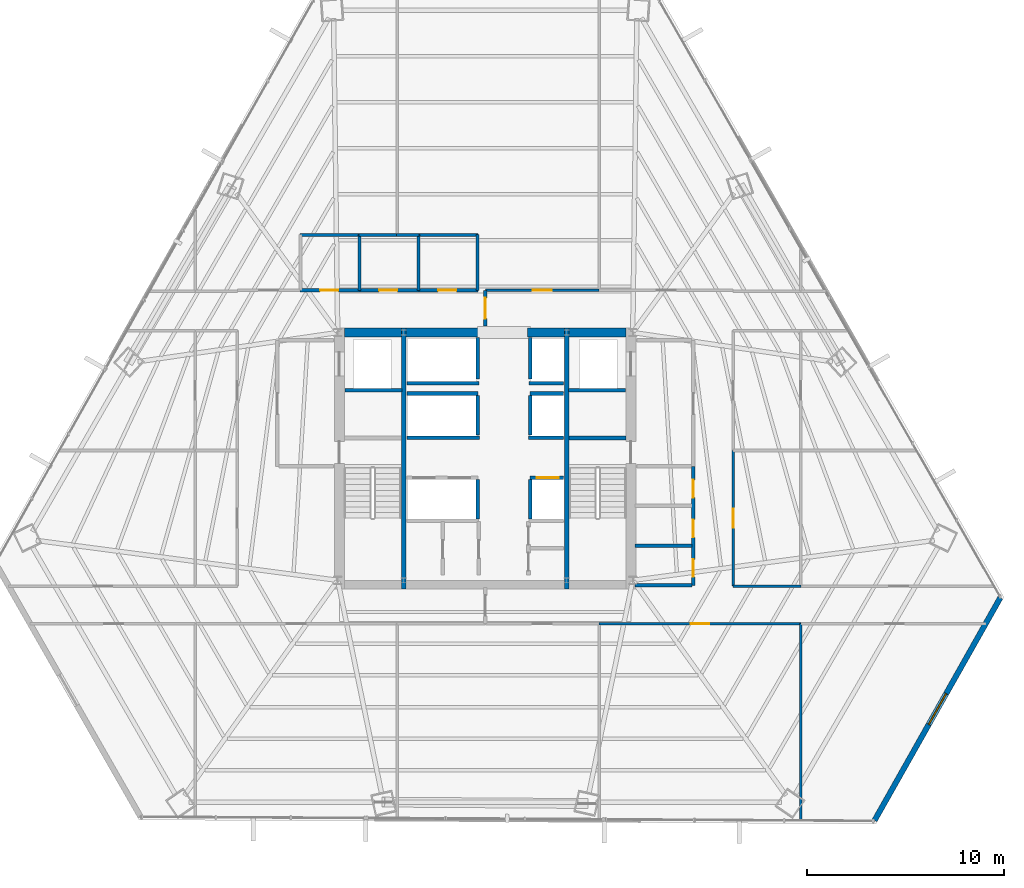
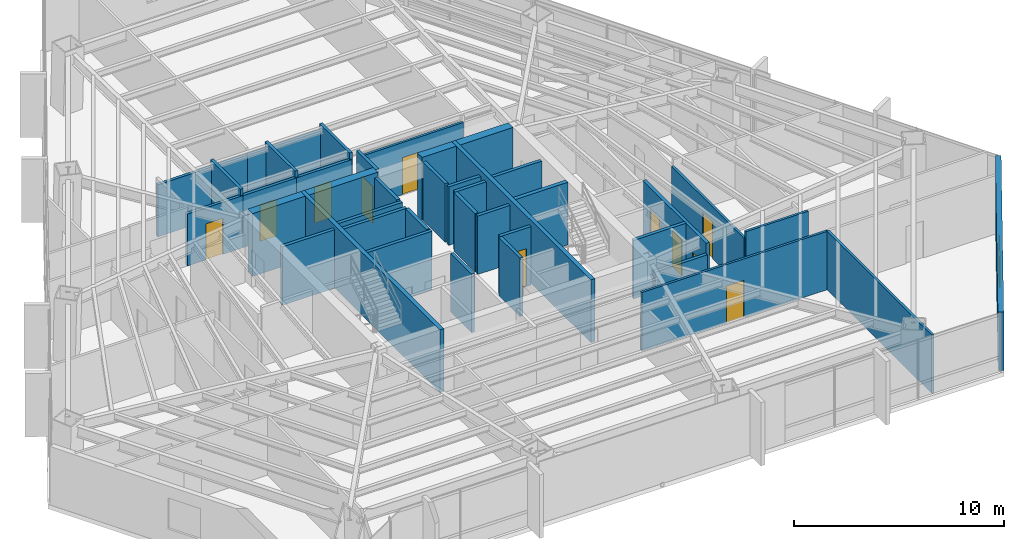
# One storey, part 31 of 35: 42 walls, 11 doors, 1 window, 12 openings.
"""IFC4 building model written with IfcOpenShell, lengths in metres."""

from ifc_helpers import new_model, si_unit, direction, frame, frame_2d, origin, place, context, subcontext, project, spatial, rectangle, extrude, material, layer, layer_set, type_object, element, fill, save


model = new_model("IFC4")

# Units and contexts
model_context = context("Model", 3, precision=1e-05, world=origin(), true_north=direction((0.0, 1.0)))
body_context = subcontext(model_context, "Body", "Model", "MODEL_VIEW")
ifc_project = project(units=[si_unit("LENGTHUNIT", "METRE"), si_unit("AREAUNIT", "SQUARE_METRE"), si_unit("VOLUMEUNIT", "CUBIC_METRE"), si_unit("PLANEANGLEUNIT", "RADIAN"), si_unit("MASSUNIT", "GRAM", prefix="KILO")], contexts=[model_context])

# Site, building, storey
site_placement = place(None, origin())
site = spatial("IfcSite", under=ifc_project, at=site_placement, CompositionType="ELEMENT")
building_placement = place(site_placement, origin())
building = spatial("IfcBuilding", under=site, at=building_placement, Name="Caelisora Broadcast Tower", CompositionType="ELEMENT")
storey_placement = place(building_placement, frame((0.0, 0.0, 90.800048828125)))
storey = spatial("IfcBuildingStorey", under=building, at=storey_placement, Name="L23", CompositionType="ELEMENT", Elevation=90.800048828125)

# Walls
ifc_material_1 = material(Name="Concrete 50 MPa (AS 3600 S50)", Category="concrete")
ifc_layer_1 = layer(ifc_material_1, 0.449951171875, Name="Concrete 50 MPa (AS 3600 S50)")
ifc_layer_set_1 = layer_set([ifc_layer_1], Name="Concrete 50 MPa (AS 3600 S50)")
wall_type_1 = type_object("IfcWallType", Name="CW5", PredefinedType="SHEAR", material=ifc_layer_set_1)
wall_1_placement = place(storey_placement, frame((30.840087890625, 30.0, 0.0), z_axis=(0.0, 0.0, 1.0), x_axis=(1.0, 0.0, 0.0)))
element("IfcWall", 1, at=wall_1_placement, inside=storey, type_object=wall_type_1, Name="L23 core shear wall CW5", PredefinedType="SHEAR", context=body_context, shape_type="SweptSolid", body=[
    extrude(rectangle(XDim=2.89990234375, YDim=0.449951171875, at=frame_2d((1.449951171875, 0.0))), origin(), (0.0, 0.0, 1.0), 3.64990234375),
])
wall_2_placement = place(storey_placement, frame((33.9599609375, 30.0, 0.0), z_axis=(0.0, 0.0, 1.0), x_axis=(1.0, 0.0, 0.0)))
element("IfcWall", 2, at=wall_2_placement, inside=storey, type_object=wall_type_1, Name="L23 core shear wall CW5", PredefinedType="SHEAR", context=body_context, shape_type="SweptSolid", body=[
    extrude(rectangle(XDim=3.780029296875, YDim=0.449951171875, at=frame_2d((1.89013671875, 0.0))), origin(), (0.0, 0.0, 1.0), 3.64990234375),
])
wall_3_placement = place(storey_placement, frame((40.159912109375, 30.0, 0.0), z_axis=(0.0, 0.0, 1.0), x_axis=(1.0, 0.0, 0.0)))
element("IfcWall", 3, at=wall_3_placement, inside=storey, type_object=wall_type_1, Name="L23 core shear wall CW5", PredefinedType="SHEAR", context=body_context, shape_type="SweptSolid", body=[
    extrude(rectangle(XDim=1.880126953125, YDim=0.449951171875, at=frame_2d((0.93994140625, 0.0))), origin(), (0.0, 0.0, 1.0), 3.64990234375),
])
wall_4_placement = place(storey_placement, frame((42.260009765625, 30.0, 0.0), z_axis=(0.0, 0.0, 1.0), x_axis=(1.0, 0.0, 0.0)))
element("IfcWall", 4, at=wall_4_placement, inside=storey, type_object=wall_type_1, Name="L23 core shear wall CW5", PredefinedType="SHEAR", context=body_context, shape_type="SweptSolid", body=[
    extrude(rectangle(XDim=2.89990234375, YDim=0.449951171875, at=frame_2d((1.449951171875, 0.0))), origin(), (0.0, 0.0, 1.0), 3.64990234375),
])
ifc_layer_2 = layer(ifc_material_1, 0.219970703125, Name="Concrete 50 MPa (AS 3600 S50)")
ifc_layer_set_2 = layer_set([ifc_layer_2], Name="Concrete 50 MPa (AS 3600 S50)")
wall_type_2 = type_object("IfcWallType", Name="CW7", PredefinedType="SHEAR", material=ifc_layer_set_2)
for number, where, z_axis, x_axis, name in (
    (5, (33.85009765625, 16.949951171875, 0.0), (0.0, 0.0, 1.0), (0.0, 1.0, 0.0), "L23 core shear wall CW7"),
    (6, (42.14990234375, 16.949951171875, 0.0), (0.0, 0.0, 1.0), (0.0, 1.0, 0.0), "L23 core shear wall CW7"),
):
    element("IfcWall", number, at=place(storey_placement, frame(where, z_axis=z_axis, x_axis=x_axis)), inside=storey, type_object=wall_type_2, Name=name, PredefinedType="SHEAR", context=body_context, shape_type="SweptSolid", body=[
        extrude(rectangle(XDim=13.275146484375, YDim=0.219970703125, at=frame_2d((6.6376953125, 0.0))), origin(), (0.0, 0.0, 1.0), 3.64990234375),
    ])
wall_5_placement = place(storey_placement, frame((42.260009765625, 24.639892578125, 0.0), z_axis=(0.0, 0.0, 1.0), x_axis=(1.0, 0.0, 0.0)))
element("IfcWall", 7, at=wall_5_placement, inside=storey, type_object=wall_type_2, Name="L23 core shear wall CW7", PredefinedType="SHEAR", context=body_context, shape_type="SweptSolid", body=[
    extrude(rectangle(XDim=2.89990234375, YDim=0.219970703125, at=frame_2d((1.449951171875, 0.0))), origin(), (0.0, 0.0, 1.0), 3.64990234375),
])

# Wall, opening, window
ifc_material_2 = material(Name="Insulated Terracotta Spandrel Wall System", Category="masonry")
ifc_layer_3 = layer(ifc_material_2, 0.280029296875, Name="Insulated Terracotta Spandrel Wall System")
ifc_layer_set_3 = layer_set([ifc_layer_3], Name="Insulated Terracotta Spandrel Wall System")
wall_type_3 = type_object("IfcWallType", Name="EW1", PredefinedType="STANDARD", material=ifc_layer_set_3)
wall_6_placement = place(storey_placement, frame((64.187255859375, 16.513916015625, 0.0), z_axis=(0.0, 0.0, 1.0), x_axis=(-0.491716982004, -0.870755080151, 0.0)))
wall_6 = element("IfcWall", 8, at=wall_6_placement, inside=storey, type_object=wall_type_3, Name="L23 exterior envelope wall EW1", PredefinedType="STANDARD", context=body_context, shape_type="SweptSolid", body=[
    extrude(rectangle(XDim=13.00439453125, YDim=0.280029296875, at=frame_2d((6.502197265625, 0.0))), origin(), (0.0, 0.0, 1.0), 3.39990234375),
])
opening_1_placement = place(wall_6_placement, frame((5.60009765625, 0.0, 0.89990234375)))
opening_1 = element("IfcOpeningElement", 9, at=opening_1_placement, cuts=wall_6, Name="Opening W01", PredefinedType="OPENING", context=body_context, shape_type="SweptSolid", body=[
    extrude(rectangle(XDim=1.800048828125, YDim=1.800048828125, at=frame_2d((0.89990234375, 0.89990234375))), frame((0.0, 0.152099609375, 0.0), z_axis=(0.0, -1.0, 0.0), x_axis=(1.0, 0.0, 0.0)), (0.0, 0.0, 1.0), 0.303955078125),
])
ifc_material_3 = material(Name="Double Glazed Terracotta-Framed Vision Window", Category="glass")
window_type = type_object("IfcWindowType", Name="W01", PartitioningType="SINGLE_PANEL", PredefinedType="WINDOW", material=ifc_material_3)
window_placement = place(opening_1_placement, origin())
window = element("IfcWindow", 10, at=window_placement, inside=storey, type_object=window_type, Name="L23 window W01 (L23-WN-CH0)", OverallHeight=1.800048828125, OverallWidth=1.800048828125, PartitioningType="SINGLE_PANEL", PredefinedType="WINDOW", context=body_context, shape_type="SweptSolid", body=[
    extrude(rectangle(XDim=1.800048828125, YDim=1.800048828125, at=frame_2d((0.89990234375, 0.89990234375))), frame((0.0, 0.030029296875, 0.0), z_axis=(0.0, -1.0, 0.0), x_axis=(1.0, 0.0, 0.0)), (0.0, 0.0, 1.0), 0.06005859375),
])
fill(opening_1, window)

# Wall, opening, door
ifc_material_4 = material(Name="Fire-Rated Gypsum Shaft and Compartment Wall", Category="gypsum")
ifc_layer_4 = layer(ifc_material_4, 0.179931640625, Name="Fire-Rated Gypsum Shaft and Compartment Wall")
ifc_layer_set_4 = layer_set([ifc_layer_4], Name="Fire-Rated Gypsum Shaft and Compartment Wall")
wall_type_4 = type_object("IfcWallType", Name="PW2", PredefinedType="PARTITIONING", material=ifc_layer_set_4)
wall_7_placement = place(storey_placement, frame((40.280029296875, 22.6201171875, 0.0), z_axis=(0.0, 0.0, 1.0), x_axis=(1.0, 0.0, 0.0)))
wall_7 = element("IfcWall", 11, at=wall_7_placement, inside=storey, type_object=wall_type_4, Name="L23 fire compartment wall PW2", PredefinedType="PARTITIONING", context=body_context, shape_type="SweptSolid", body=[
    extrude(rectangle(XDim=1.699951171875, YDim=0.179931640625, at=frame_2d((0.85009765625, 0.0))), origin(), (0.0, 0.0, 1.0), 3.39990234375),
])
opening_2_placement = place(wall_7_placement, frame((0.35009765625, 0.0, 0.0)))
opening_2 = element("IfcOpeningElement", 12, at=opening_2_placement, cuts=wall_7, Name="Opening LD01", PredefinedType="OPENING", context=body_context, shape_type="SweptSolid", body=[
    extrude(rectangle(XDim=1.10009765625, YDim=2.199951171875, at=frame_2d((0.550048828125, 1.10009765625))), frame((0.0, 0.10205078125, 0.0), z_axis=(0.0, -1.0, 0.0), x_axis=(1.0, 0.0, 0.0)), (0.0, 0.0, 1.0), 0.203857421875),
])
ifc_material_5 = material(Name="Stainless Steel Centre-Parting Lift Landing Door", Category="steel")
door_type_1 = type_object("IfcDoorType", Name="LD01", OperationType="NOTDEFINED", PredefinedType="DOOR", material=ifc_material_5)
door_1_placement = place(opening_2_placement, origin())
door_1 = element("IfcDoor", 13, at=door_1_placement, inside=storey, type_object=door_type_1, Name="L23 door LD01 (L23-LD-PLL3)", OperationType="SLIDING_TO_LEFT", OverallHeight=2.199951171875, OverallWidth=1.10009765625, PredefinedType="DOOR", context=body_context, shape_type="SweptSolid", body=[
    extrude(rectangle(XDim=1.10009765625, YDim=2.199951171875, at=frame_2d((0.550048828125, 1.10009765625))), frame((0.0, 0.02490234375, 0.0), z_axis=(0.0, -1.0, 0.0), x_axis=(1.0, 0.0, 0.0)), (0.0, 0.0, 1.0), 0.050048828125),
])
fill(opening_2, door_1)

# Walls
for number, where, z_axis, x_axis, name in (
    (14, (37.6201171875, 20.52001953125, 0.0), (0.0, 0.0, 1.0), (0.0, 1.0, 0.0), "L23 fire compartment wall PW2"),
    (15, (40.280029296875, 20.52001953125, 0.0), (0.0, 0.0, 1.0), (0.0, 1.0, 0.0), "L23 fire compartment wall PW2"),
):
    element("IfcWall", number, at=place(storey_placement, frame(where, z_axis=z_axis, x_axis=x_axis)), inside=storey, type_object=wall_type_4, Name=name, PredefinedType="PARTITIONING", context=body_context, shape_type="SweptSolid", body=[
        extrude(rectangle(XDim=2.0, YDim=0.179931640625, at=frame_2d((1.0, 0.0))), origin(), (0.0, 0.0, 1.0), 3.39990234375),
    ])
wall_8_placement = place(storey_placement, frame((34.02001953125, 26.89990234375, 0.0), z_axis=(0.0, 0.0, 1.0), x_axis=(1.0, 0.0, 0.0)))
element("IfcWall", 16, at=wall_8_placement, inside=storey, type_object=wall_type_4, Name="L23 fire compartment wall PW2", PredefinedType="PARTITIONING", context=body_context, shape_type="SweptSolid", body=[
    extrude(rectangle(XDim=3.60009765625, YDim=0.179931640625, at=frame_2d((1.800048828125, 0.0))), origin(), (0.0, 0.0, 1.0), 3.39990234375),
])
wall_9_placement = place(storey_placement, frame((40.280029296875, 26.89990234375, 0.0), z_axis=(0.0, 0.0, 1.0), x_axis=(1.0, 0.0, 0.0)))
element("IfcWall", 17, at=wall_9_placement, inside=storey, type_object=wall_type_4, Name="L23 fire compartment wall PW2", PredefinedType="PARTITIONING", context=body_context, shape_type="SweptSolid", body=[
    extrude(rectangle(XDim=1.699951171875, YDim=0.179931640625, at=frame_2d((0.85009765625, 0.0))), origin(), (0.0, 0.0, 1.0), 3.39990234375),
])
for number, where, z_axis, x_axis, name in (
    (18, (37.6201171875, 24.800048828125, 0.0), (0.0, 0.0, 1.0), (0.0, 1.0, 0.0), "L23 fire compartment wall PW2"),
    (19, (40.280029296875, 24.800048828125, 0.0), (0.0, 0.0, 1.0), (0.0, 1.0, 0.0), "L23 fire compartment wall PW2"),
):
    element("IfcWall", number, at=place(storey_placement, frame(where, z_axis=z_axis, x_axis=x_axis)), inside=storey, type_object=wall_type_4, Name=name, PredefinedType="PARTITIONING", context=body_context, shape_type="SweptSolid", body=[
        extrude(rectangle(XDim=2.0, YDim=0.179931640625, at=frame_2d((1.0, 0.0))), origin(), (0.0, 0.0, 1.0), 3.39990234375),
    ])
wall_10_placement = place(storey_placement, frame((34.02001953125, 24.639892578125, 0.0), z_axis=(0.0, 0.0, 1.0), x_axis=(1.0, 0.0, 0.0)))
element("IfcWall", 20, at=wall_10_placement, inside=storey, type_object=wall_type_4, Name="L23 fire compartment wall PW2", PredefinedType="PARTITIONING", context=body_context, shape_type="SweptSolid", body=[
    extrude(rectangle(XDim=3.679931640625, YDim=0.179931640625, at=frame_2d((1.83984375, 0.0))), origin(), (0.0, 0.0, 1.0), 3.39990234375),
])
wall_11_placement = place(storey_placement, frame((40.199951171875, 24.639892578125, 0.0), z_axis=(0.0, 0.0, 1.0), x_axis=(1.0, 0.0, 0.0)))
element("IfcWall", 21, at=wall_11_placement, inside=storey, type_object=wall_type_4, Name="L23 fire compartment wall PW2", PredefinedType="PARTITIONING", context=body_context, shape_type="SweptSolid", body=[
    extrude(rectangle(XDim=1.780029296875, YDim=0.179931640625, at=frame_2d((0.89013671875, 0.0))), origin(), (0.0, 0.0, 1.0), 3.39990234375),
])
wall_12_placement = place(storey_placement, frame((34.02001953125, 27.419921875, 0.0), z_axis=(0.0, 0.0, 1.0), x_axis=(1.0, 0.0, 0.0)))
element("IfcWall", 22, at=wall_12_placement, inside=storey, type_object=wall_type_4, Name="L23 fire compartment wall PW2", PredefinedType="PARTITIONING", context=body_context, shape_type="SweptSolid", body=[
    extrude(rectangle(XDim=3.659912109375, YDim=0.179931640625, at=frame_2d((1.830078125, 0.0))), origin(), (0.0, 0.0, 1.0), 3.39990234375),
])
wall_13_placement = place(storey_placement, frame((40.219970703125, 27.419921875, 0.0), z_axis=(0.0, 0.0, 1.0), x_axis=(1.0, 0.0, 0.0)))
element("IfcWall", 23, at=wall_13_placement, inside=storey, type_object=wall_type_4, Name="L23 fire compartment wall PW2", PredefinedType="PARTITIONING", context=body_context, shape_type="SweptSolid", body=[
    extrude(rectangle(XDim=1.760009765625, YDim=0.179931640625, at=frame_2d((0.8798828125, 0.0))), origin(), (0.0, 0.0, 1.0), 3.39990234375),
])
for number, where, z_axis, x_axis, name in (
    (24, (37.6201171875, 27.639892578125, 0.0), (0.0, 0.0, 1.0), (0.0, 1.0, 0.0), "L23 fire compartment wall PW2"),
    (25, (40.280029296875, 27.639892578125, 0.0), (0.0, 0.0, 1.0), (0.0, 1.0, 0.0), "L23 fire compartment wall PW2"),
):
    element("IfcWall", number, at=place(storey_placement, frame(where, z_axis=z_axis, x_axis=x_axis)), inside=storey, type_object=wall_type_4, Name=name, PredefinedType="PARTITIONING", context=body_context, shape_type="SweptSolid", body=[
        extrude(rectangle(XDim=2.110107421875, YDim=0.179931640625, at=frame_2d((1.05517578125, 0.0))), origin(), (0.0, 0.0, 1.0), 3.39990234375),
    ])
for number, where, z_axis, x_axis, name in (
    (26, (30.860107421875, 27.070068359375, 0.0), (0.0, 0.0, 1.0), (1.0, 0.0, 0.0), "L23 fire compartment wall PW2"),
    (27, (42.239990234375, 27.070068359375, 0.0), (0.0, 0.0, 1.0), (1.0, 0.0, 0.0), "L23 fire compartment wall PW2"),
    (28, (45.6201171875, 19.169921875, 0.0), (0.0, 0.0, 1.0), (1.0, 0.0, 0.0), "L23 fire compartment wall PW2"),
):
    element("IfcWall", number, at=place(storey_placement, frame(where, z_axis=z_axis, x_axis=x_axis)), inside=storey, type_object=wall_type_4, Name=name, PredefinedType="PARTITIONING", context=body_context, shape_type="SweptSolid", body=[
        extrude(rectangle(XDim=2.89990234375, YDim=0.179931640625, at=frame_2d((1.449951171875, 0.0))), origin(), (0.0, 0.0, 1.0), 3.39990234375),
    ])

# Wall, openings, doors
wall_14_placement = place(storey_placement, frame((48.580078125, 17.14990234375, 0.0), z_axis=(0.0, 0.0, 1.0), x_axis=(0.0, 1.0, 0.0)))
wall_14 = element("IfcWall", 29, at=wall_14_placement, inside=storey, type_object=wall_type_4, Name="L23 fire compartment wall PW2", PredefinedType="PARTITIONING", context=body_context, shape_type="SweptSolid", body=[
    extrude(rectangle(XDim=6.030029296875, YDim=0.179931640625, at=frame_2d((3.01513671875, 0.0))), origin(), (0.0, 0.0, 1.0), 3.39990234375),
])
opening_3_placement = place(wall_14_placement, frame((0.419921875, 0.0, 0.0)))
opening_3 = element("IfcOpeningElement", 30, at=opening_3_placement, cuts=wall_14, Name="Opening FD03", PredefinedType="OPENING", context=body_context, shape_type="SweptSolid", body=[
    extrude(rectangle(XDim=0.89990234375, YDim=2.10009765625, at=frame_2d((0.449951171875, 1.050048828125))), frame((0.0, 0.10205078125, 0.0), z_axis=(0.0, -1.0, 0.0), x_axis=(1.0, 0.0, 0.0)), (0.0, 0.0, 1.0), 0.203857421875),
])
opening_4_placement = place(wall_14_placement, frame((2.43994140625, 0.0, 0.0)))
opening_4 = element("IfcOpeningElement", 31, at=opening_4_placement, cuts=wall_14, Name="Opening FD03", PredefinedType="OPENING", context=body_context, shape_type="SweptSolid", body=[
    extrude(rectangle(XDim=0.89990234375, YDim=2.10009765625, at=frame_2d((0.449951171875, 1.050048828125))), frame((0.0, 0.10205078125, 0.0), z_axis=(0.0, -1.0, 0.0), x_axis=(1.0, 0.0, 0.0)), (0.0, 0.0, 1.0), 0.203857421875),
])
opening_5_placement = place(wall_14_placement, frame((4.4599609375, 0.0, 0.0)))
opening_5 = element("IfcOpeningElement", 32, at=opening_5_placement, cuts=wall_14, Name="Opening FD03", PredefinedType="OPENING", context=body_context, shape_type="SweptSolid", body=[
    extrude(rectangle(XDim=0.89990234375, YDim=2.10009765625, at=frame_2d((0.449951171875, 1.050048828125))), frame((0.0, 0.10205078125, 0.0), z_axis=(0.0, -1.0, 0.0), x_axis=(1.0, 0.0, 0.0)), (0.0, 0.0, 1.0), 0.203857421875),
])
ifc_material_6 = material(Name="Single-Leaf Steel Riser Fire Access Door", Category="steel")
door_type_2 = type_object("IfcDoorType", Name="FD03", OperationType="NOTDEFINED", PredefinedType="DOOR", material=ifc_material_6)
door_2_placement = place(opening_3_placement, origin())
door_2 = element("IfcDoor", 33, at=door_2_placement, inside=storey, type_object=door_type_2, Name="L23 door FD03 (L23-DR-P17D1)", OperationType="SINGLE_SWING_RIGHT", OverallHeight=2.10009765625, OverallWidth=0.89990234375, PredefinedType="DOOR", context=body_context, shape_type="SweptSolid", body=[
    extrude(rectangle(XDim=0.89990234375, YDim=2.10009765625, at=frame_2d((0.449951171875, 1.050048828125))), frame((0.0, 0.02490234375, 0.0), z_axis=(0.0, -1.0, 0.0), x_axis=(1.0, 0.0, 0.0)), (0.0, 0.0, 1.0), 0.050048828125),
])
fill(opening_3, door_2)
door_3_placement = place(opening_4_placement, origin())
door_3 = element("IfcDoor", 34, at=door_3_placement, inside=storey, type_object=door_type_2, Name="L23 door FD03 (L23-DR-P17D2)", OperationType="SINGLE_SWING_LEFT", OverallHeight=2.10009765625, OverallWidth=0.89990234375, PredefinedType="DOOR", context=body_context, shape_type="SweptSolid", body=[
    extrude(rectangle(XDim=0.89990234375, YDim=2.10009765625, at=frame_2d((0.449951171875, 1.050048828125))), frame((0.0, 0.02490234375, 0.0), z_axis=(0.0, -1.0, 0.0), x_axis=(1.0, 0.0, 0.0)), (0.0, 0.0, 1.0), 0.050048828125),
])
fill(opening_4, door_3)
door_4_placement = place(opening_5_placement, origin())
door_4 = element("IfcDoor", 35, at=door_4_placement, inside=storey, type_object=door_type_2, Name="L23 door FD03 (L23-DR-P17D3)", OperationType="SINGLE_SWING_RIGHT", OverallHeight=2.10009765625, OverallWidth=0.89990234375, PredefinedType="DOOR", context=body_context, shape_type="SweptSolid", body=[
    extrude(rectangle(XDim=0.89990234375, YDim=2.10009765625, at=frame_2d((0.449951171875, 1.050048828125))), frame((0.0, 0.02490234375, 0.0), z_axis=(0.0, -1.0, 0.0), x_axis=(1.0, 0.0, 0.0)), (0.0, 0.0, 1.0), 0.050048828125),
])
fill(opening_5, door_4)

# Wall
wall_15_placement = place(storey_placement, frame((45.6201171875, 17.14990234375, 0.0), z_axis=(0.0, 0.0, 1.0), x_axis=(1.0, 0.0, 0.0)))
element("IfcWall", 36, at=wall_15_placement, inside=storey, type_object=wall_type_4, Name="L23 fire compartment wall PW2", PredefinedType="PARTITIONING", context=body_context, shape_type="SweptSolid", body=[
    extrude(rectangle(XDim=2.89990234375, YDim=0.179931640625, at=frame_2d((1.449951171875, 0.0))), origin(), (0.0, 0.0, 1.0), 2.78271484375),
])

# Wall, opening, door
wall_16_placement = place(storey_placement, frame((38.0, 30.320068359375, 0.0), z_axis=(0.0, 0.0, 1.0), x_axis=(0.0, 1.0, 0.0)))
wall_16 = element("IfcWall", 37, at=wall_16_placement, inside=storey, type_object=wall_type_4, Name="L23 fire compartment wall PW2", PredefinedType="PARTITIONING", context=body_context, shape_type="SweptSolid", body=[
    extrude(rectangle(XDim=1.824951171875, YDim=0.179931640625, at=frame_2d((0.91259765625, 0.0))), origin(), (0.0, 0.0, 1.0), 3.39990234375),
])
opening_6_placement = place(wall_16_placement, frame((0.387939453125, 0.0, 0.0)))
opening_6 = element("IfcOpeningElement", 38, at=opening_6_placement, cuts=wall_16, Name="Opening FD02", PredefinedType="OPENING", context=body_context, shape_type="SweptSolid", body=[
    extrude(rectangle(XDim=1.050048828125, YDim=2.14990234375, at=frame_2d((0.52490234375, 1.074951171875))), frame((0.0, 0.10205078125, 0.0), z_axis=(0.0, -1.0, 0.0), x_axis=(1.0, 0.0, 0.0)), (0.0, 0.0, 1.0), 0.203857421875),
])
ifc_material_7 = material(Name="Single-Leaf Steel Fire Lobby Door", Category="steel")
door_type_3 = type_object("IfcDoorType", Name="FD02", OperationType="NOTDEFINED", PredefinedType="DOOR", material=ifc_material_7)
door_5_placement = place(opening_6_placement, origin())
door_5 = element("IfcDoor", 39, at=door_5_placement, inside=storey, type_object=door_type_3, Name="L23 door FD02 (L23-DR-P71D1)", OperationType="SINGLE_SWING_LEFT", OverallHeight=2.14990234375, OverallWidth=1.050048828125, PredefinedType="DOOR", context=body_context, shape_type="SweptSolid", body=[
    extrude(rectangle(XDim=1.050048828125, YDim=2.14990234375, at=frame_2d((0.52490234375, 1.074951171875))), frame((0.0, 0.02490234375, 0.0), z_axis=(0.0, -1.0, 0.0), x_axis=(1.0, 0.0, 0.0)), (0.0, 0.0, 1.0), 0.050048828125),
])
fill(opening_6, door_5)

ifc_material_8 = material(Name="Acoustic Steel-Stud Plasterboard Partition", Category="gypsum")
ifc_layer_5 = layer(ifc_material_8, 0.1298828125, Name="Acoustic Steel-Stud Plasterboard Partition")
ifc_layer_set_5 = layer_set([ifc_layer_5], Name="Acoustic Steel-Stud Plasterboard Partition")
wall_type_5 = type_object("IfcWallType", Name="PW3", PredefinedType="PARTITIONING", material=ifc_layer_set_5)
wall_17_placement = place(storey_placement, frame((43.794921875, 15.199951171875, 0.0), z_axis=(0.0, 0.0, 1.0), x_axis=(1.0, 0.0, 0.0)))
wall_17 = element("IfcWall", 40, at=wall_17_placement, inside=storey, type_object=wall_type_5, Name="L23 internal partition PW3", PredefinedType="PARTITIONING", context=body_context, shape_type="SweptSolid", body=[
    extrude(rectangle(XDim=10.25, YDim=0.1298828125, at=frame_2d((5.125, 0.0))), origin(), (0.0, 0.0, 1.0), 3.39990234375),
])
opening_7_placement = place(wall_17_placement, frame((4.64501953125, 0.0, 0.0)))
opening_7 = element("IfcOpeningElement", 41, at=opening_7_placement, cuts=wall_17, Name="Opening D01", PredefinedType="OPENING", context=body_context, shape_type="SweptSolid", body=[
    extrude(rectangle(XDim=0.9599609375, YDim=2.14990234375, at=frame_2d((0.47998046875, 1.074951171875))), frame((0.0, 0.076904296875, 0.0), z_axis=(0.0, -1.0, 0.0), x_axis=(1.0, 0.0, 0.0)), (0.0, 0.0, 1.0), 0.15380859375),
])
ifc_material_9 = material(Name="Solid-Core Timber Acoustic Office Door", Category="wood")
door_type_4 = type_object("IfcDoorType", Name="D01", OperationType="NOTDEFINED", PredefinedType="DOOR", material=ifc_material_9)
door_6_placement = place(opening_7_placement, origin())
door_6 = element("IfcDoor", 42, at=door_6_placement, inside=storey, type_object=door_type_4, Name="L23 door D01 (L23-DR-P33D1)", OperationType="SINGLE_SWING_LEFT", OverallHeight=2.14990234375, OverallWidth=0.9599609375, PredefinedType="DOOR", context=body_context, shape_type="SweptSolid", body=[
    extrude(rectangle(XDim=0.9599609375, YDim=2.14990234375, at=frame_2d((0.47998046875, 1.074951171875))), frame((0.0, 0.02490234375, 0.0), z_axis=(0.0, -1.0, 0.0), x_axis=(1.0, 0.0, 0.0)), (0.0, 0.0, 1.0), 0.050048828125),
])
fill(opening_7, door_6)

# Wall
wall_18_placement = place(storey_placement, frame((54.050048828125, 5.18017578125, 0.0), z_axis=(0.0, 0.0, 1.0), x_axis=(0.0, 1.0, 0.0)))
element("IfcWall", 43, at=wall_18_placement, inside=storey, type_object=wall_type_5, Name="L23 internal partition PW3", PredefinedType="PARTITIONING", context=body_context, shape_type="SweptSolid", body=[
    extrude(rectangle(XDim=10.014892578125, YDim=0.1298828125, at=frame_2d((5.00732421875, 0.0))), origin(), (0.0, 0.0, 1.0), 3.39990234375),
])

# Wall, opening, door
wall_19_placement = place(storey_placement, frame((50.60009765625, 17.10498046875, 0.0), z_axis=(0.0, 0.0, 1.0), x_axis=(0.0, 1.0, 0.0)))
wall_19 = element("IfcWall", 44, at=wall_19_placement, inside=storey, type_object=wall_type_5, Name="L23 internal partition PW3", PredefinedType="PARTITIONING", context=body_context, shape_type="SweptSolid", body=[
    extrude(rectangle(XDim=6.89013671875, YDim=0.1298828125, at=frame_2d((3.445068359375, 0.0))), origin(), (0.0, 0.0, 1.0), 3.0263671875),
])
opening_8_placement = place(wall_19_placement, frame((2.965087890625, 0.0, 0.0)))
opening_8 = element("IfcOpeningElement", 45, at=opening_8_placement, cuts=wall_19, Name="Opening D01", PredefinedType="OPENING", context=body_context, shape_type="SweptSolid", body=[
    extrude(rectangle(XDim=0.9599609375, YDim=2.14990234375, at=frame_2d((0.47998046875, 1.074951171875))), frame((0.0, 0.076904296875, 0.0), z_axis=(0.0, -1.0, 0.0), x_axis=(1.0, 0.0, 0.0)), (0.0, 0.0, 1.0), 0.15380859375),
])
door_7_placement = place(opening_8_placement, origin())
door_7 = element("IfcDoor", 46, at=door_7_placement, inside=storey, type_object=door_type_4, Name="L23 door D01 (L23-DR-P44D1)", OperationType="SINGLE_SWING_LEFT", OverallHeight=2.14990234375, OverallWidth=0.9599609375, PredefinedType="DOOR", context=body_context, shape_type="SweptSolid", body=[
    extrude(rectangle(XDim=0.9599609375, YDim=2.14990234375, at=frame_2d((0.47998046875, 1.074951171875))), frame((0.0, 0.02490234375, 0.0), z_axis=(0.0, -1.0, 0.0), x_axis=(1.0, 0.0, 0.0)), (0.0, 0.0, 1.0), 0.050048828125),
])
fill(opening_8, door_7)

wall_20_placement = place(storey_placement, frame((38.0048828125, 32.14990234375, 0.0), z_axis=(0.0, 0.0, 1.0), x_axis=(1.0, 0.0, 0.0)))
wall_20 = element("IfcWall", 47, at=wall_20_placement, inside=storey, type_object=wall_type_5, Name="L23 internal partition PW3", PredefinedType="PARTITIONING", context=body_context, shape_type="SweptSolid", body=[
    extrude(rectangle(XDim=5.780029296875, YDim=0.1298828125, at=frame_2d((2.89013671875, 0.0))), origin(), (0.0, 0.0, 1.0), 3.0263671875),
])
opening_9_placement = place(wall_20_placement, frame((2.409912109375, 0.0, 0.0)))
opening_9 = element("IfcOpeningElement", 48, at=opening_9_placement, cuts=wall_20, Name="Opening D01", PredefinedType="OPENING", context=body_context, shape_type="SweptSolid", body=[
    extrude(rectangle(XDim=0.9599609375, YDim=2.14990234375, at=frame_2d((0.47998046875, 1.074951171875))), frame((0.0, 0.076904296875, 0.0), z_axis=(0.0, -1.0, 0.0), x_axis=(1.0, 0.0, 0.0)), (0.0, 0.0, 1.0), 0.15380859375),
])
door_8_placement = place(opening_9_placement, origin())
door_8 = element("IfcDoor", 49, at=door_8_placement, inside=storey, type_object=door_type_4, Name="L23 door D01 (L23-DR-P53D1)", OperationType="SINGLE_SWING_LEFT", OverallHeight=2.14990234375, OverallWidth=0.9599609375, PredefinedType="DOOR", context=body_context, shape_type="SweptSolid", body=[
    extrude(rectangle(XDim=0.9599609375, YDim=2.14990234375, at=frame_2d((0.47998046875, 1.074951171875))), frame((0.0, 0.02490234375, 0.0), z_axis=(0.0, -1.0, 0.0), x_axis=(1.0, 0.0, 0.0)), (0.0, 0.0, 1.0), 0.050048828125),
])
fill(opening_9, door_8)

# Wall
wall_21_placement = place(storey_placement, frame((54.044921875, 17.10009765625, 0.0), z_axis=(0.0, 0.0, 1.0), x_axis=(-1.0, 0.0, 0.0)))
element("IfcWall", 50, at=wall_21_placement, inside=storey, type_object=wall_type_5, Name="L23 internal partition PW3", PredefinedType="PARTITIONING", context=body_context, shape_type="SweptSolid", body=[
    extrude(rectangle(XDim=3.43994140625, YDim=0.1298828125, at=frame_2d((1.719970703125, 0.0))), origin(), (0.0, 0.0, 1.0), 3.39990234375),
])

# Wall, opening, door
ifc_material_10 = material(Name="Moisture-Resistant Wet Plumbing Service Wall", Category="gypsum")
ifc_layer_6 = layer(ifc_material_10, 0.159912109375, Name="Moisture-Resistant Wet Plumbing Service Wall")
ifc_layer_set_6 = layer_set([ifc_layer_6], Name="Moisture-Resistant Wet Plumbing Service Wall")
wall_type_6 = type_object("IfcWallType", Name="PW4", PredefinedType="PLUMBINGWALL", material=ifc_layer_set_6)
wall_22_placement = place(storey_placement, frame((28.574951171875, 32.14990234375, 0.0), z_axis=(0.0, 0.0, 1.0), x_axis=(1.0, 0.0, 0.0)))
wall_22 = element("IfcWall", 51, at=wall_22_placement, inside=storey, type_object=wall_type_6, Name="L23 wet plumbing wall PW4", PredefinedType="PLUMBINGWALL", context=body_context, shape_type="SweptSolid", body=[
    extrude(rectangle(XDim=3.050048828125, YDim=0.159912109375, at=frame_2d((1.52490234375, 0.0))), origin(), (0.0, 0.0, 1.0), 3.0263671875),
])
opening_10_placement = place(wall_22_placement, frame((1.034912109375, 0.0, 0.0)))
opening_10 = element("IfcOpeningElement", 52, at=opening_10_placement, cuts=wall_22, Name="Opening D03", PredefinedType="OPENING", context=body_context, shape_type="SweptSolid", body=[
    extrude(rectangle(XDim=0.919921875, YDim=2.10009765625, at=frame_2d((0.4599609375, 1.050048828125))), frame((0.0, 0.092041015625, 0.0), z_axis=(0.0, -1.0, 0.0), x_axis=(1.0, 0.0, 0.0)), (0.0, 0.0, 1.0), 0.183837890625),
])
ifc_material_11 = material(Name="Laminate Moisture-Resistant Amenity WC Door", Category="wood")
door_type_5 = type_object("IfcDoorType", Name="D03", OperationType="NOTDEFINED", PredefinedType="DOOR", material=ifc_material_11)
door_9_placement = place(opening_10_placement, origin())
door_9 = element("IfcDoor", 53, at=door_9_placement, inside=storey, type_object=door_type_5, Name="L23 door D03 (L23-DR-P19D1)", OperationType="SINGLE_SWING_LEFT", OverallHeight=2.10009765625, OverallWidth=0.919921875, PredefinedType="DOOR", context=body_context, shape_type="SweptSolid", body=[
    extrude(rectangle(XDim=0.919921875, YDim=2.10009765625, at=frame_2d((0.4599609375, 1.050048828125))), frame((0.0, 0.02490234375, 0.0), z_axis=(0.0, -1.0, 0.0), x_axis=(1.0, 0.0, 0.0)), (0.0, 0.0, 1.0), 0.050048828125),
])
fill(opening_10, door_9)

wall_23_placement = place(storey_placement, frame((31.574951171875, 32.14990234375, 0.0), z_axis=(0.0, 0.0, 1.0), x_axis=(1.0, 0.0, 0.0)))
wall_23 = element("IfcWall", 54, at=wall_23_placement, inside=storey, type_object=wall_type_6, Name="L23 wet plumbing wall PW4", PredefinedType="PLUMBINGWALL", context=body_context, shape_type="SweptSolid", body=[
    extrude(rectangle(XDim=3.050048828125, YDim=0.159912109375, at=frame_2d((1.52490234375, 0.0))), origin(), (0.0, 0.0, 1.0), 3.0263671875),
])
opening_11_placement = place(wall_23_placement, frame((1.034912109375, 0.0, 0.0)))
opening_11 = element("IfcOpeningElement", 55, at=opening_11_placement, cuts=wall_23, Name="Opening D03", PredefinedType="OPENING", context=body_context, shape_type="SweptSolid", body=[
    extrude(rectangle(XDim=0.919921875, YDim=2.10009765625, at=frame_2d((0.4599609375, 1.050048828125))), frame((0.0, 0.092041015625, 0.0), z_axis=(0.0, -1.0, 0.0), x_axis=(1.0, 0.0, 0.0)), (0.0, 0.0, 1.0), 0.183837890625),
])
door_10_placement = place(opening_11_placement, origin())
door_10 = element("IfcDoor", 56, at=door_10_placement, inside=storey, type_object=door_type_5, Name="L23 door D03 (L23-DR-P20D1)", OperationType="SINGLE_SWING_RIGHT", OverallHeight=2.10009765625, OverallWidth=0.919921875, PredefinedType="DOOR", context=body_context, shape_type="SweptSolid", body=[
    extrude(rectangle(XDim=0.919921875, YDim=2.10009765625, at=frame_2d((0.4599609375, 1.050048828125))), frame((0.0, 0.02490234375, 0.0), z_axis=(0.0, -1.0, 0.0), x_axis=(1.0, 0.0, 0.0)), (0.0, 0.0, 1.0), 0.050048828125),
])
fill(opening_11, door_10)

wall_24_placement = place(storey_placement, frame((34.574951171875, 32.14990234375, 0.0), z_axis=(0.0, 0.0, 1.0), x_axis=(1.0, 0.0, 0.0)))
wall_24 = element("IfcWall", 57, at=wall_24_placement, inside=storey, type_object=wall_type_6, Name="L23 wet plumbing wall PW4", PredefinedType="PLUMBINGWALL", context=body_context, shape_type="SweptSolid", body=[
    extrude(rectangle(XDim=3.050048828125, YDim=0.159912109375, at=frame_2d((1.52490234375, 0.0))), origin(), (0.0, 0.0, 1.0), 3.0263671875),
])
opening_12_placement = place(wall_24_placement, frame((1.034912109375, 0.0, 0.0)))
opening_12 = element("IfcOpeningElement", 58, at=opening_12_placement, cuts=wall_24, Name="Opening D03", PredefinedType="OPENING", context=body_context, shape_type="SweptSolid", body=[
    extrude(rectangle(XDim=0.919921875, YDim=2.10009765625, at=frame_2d((0.4599609375, 1.050048828125))), frame((0.0, 0.092041015625, 0.0), z_axis=(0.0, -1.0, 0.0), x_axis=(1.0, 0.0, 0.0)), (0.0, 0.0, 1.0), 0.183837890625),
])
door_11_placement = place(opening_12_placement, origin())
door_11 = element("IfcDoor", 59, at=door_11_placement, inside=storey, type_object=door_type_5, Name="L23 door D03 (L23-DR-P21D1)", OperationType="SINGLE_SWING_LEFT", OverallHeight=2.10009765625, OverallWidth=0.919921875, PredefinedType="DOOR", context=body_context, shape_type="SweptSolid", body=[
    extrude(rectangle(XDim=0.919921875, YDim=2.10009765625, at=frame_2d((0.4599609375, 1.050048828125))), frame((0.0, 0.02490234375, 0.0), z_axis=(0.0, -1.0, 0.0), x_axis=(1.0, 0.0, 0.0)), (0.0, 0.0, 1.0), 0.050048828125),
])
fill(opening_12, door_11)

# Walls
for number, where, z_axis, x_axis, name in (
    (60, (28.574951171875, 34.949951171875, 0.0), (0.0, 0.0, 1.0), (1.0, 0.0, 0.0), "L23 wet plumbing wall PW4"),
    (61, (37.625, 34.949951171875, 0.0), (0.0, 0.0, 1.0), (-1.0, 0.0, 0.0), "L23 wet plumbing wall PW4"),
):
    element("IfcWall", number, at=place(storey_placement, frame(where, z_axis=z_axis, x_axis=x_axis)), inside=storey, type_object=wall_type_6, Name=name, PredefinedType="PLUMBINGWALL", context=body_context, shape_type="SweptSolid", body=[
        extrude(rectangle(XDim=3.050048828125, YDim=0.159912109375, at=frame_2d((1.52490234375, 0.0))), origin(), (0.0, 0.0, 1.0), 3.0263671875),
    ])
for number, where, z_axis, x_axis, name in (
    (62, (31.60009765625, 32.125, 0.0), (0.0, 0.0, 1.0), (0.0, 1.0, 0.0), "L23 wet plumbing wall PW4"),
    (63, (34.60009765625, 32.125, 0.0), (0.0, 0.0, 1.0), (0.0, 1.0, 0.0), "L23 wet plumbing wall PW4"),
    (64, (37.60009765625, 32.125, 0.0), (0.0, 0.0, 1.0), (0.0, 1.0, 0.0), "L23 wet plumbing wall PW4"),
):
    element("IfcWall", number, at=place(storey_placement, frame(where, z_axis=z_axis, x_axis=x_axis)), inside=storey, type_object=wall_type_6, Name=name, PredefinedType="PLUMBINGWALL", context=body_context, shape_type="SweptSolid", body=[
        extrude(rectangle(XDim=2.85009765625, YDim=0.159912109375, at=frame_2d((1.425048828125, 0.0))), origin(), (0.0, 0.0, 1.0), 3.39990234375),
    ])
wall_25_placement = place(storey_placement, frame((31.574951171875, 34.949951171875, 0.0), z_axis=(0.0, 0.0, 1.0), x_axis=(1.0, 0.0, 0.0)))
element("IfcWall", 65, at=wall_25_placement, inside=storey, type_object=wall_type_6, Name="L23 wet plumbing wall PW4", PredefinedType="PLUMBINGWALL", context=body_context, shape_type="SweptSolid", body=[
    extrude(rectangle(XDim=1.969970703125, YDim=0.159912109375, at=frame_2d((0.98486328125, 0.0))), origin(), (0.0, 0.0, 1.0), 3.0263671875),
])
wall_26_placement = place(storey_placement, frame((33.4951171875, 34.949951171875, 0.0), z_axis=(0.0, 0.0, 1.0), x_axis=(1.0, 0.0, 0.0)))
element("IfcWall", 66, at=wall_26_placement, inside=storey, type_object=wall_type_6, Name="L23 wet plumbing wall PW4", PredefinedType="PLUMBINGWALL", context=body_context, shape_type="SweptSolid", body=[
    extrude(rectangle(XDim=1.1298828125, YDim=0.159912109375, at=frame_2d((0.56494140625, 0.0))), origin(), (0.0, 0.0, 1.0), 3.0263671875),
])

save(model, "model.ifc")
